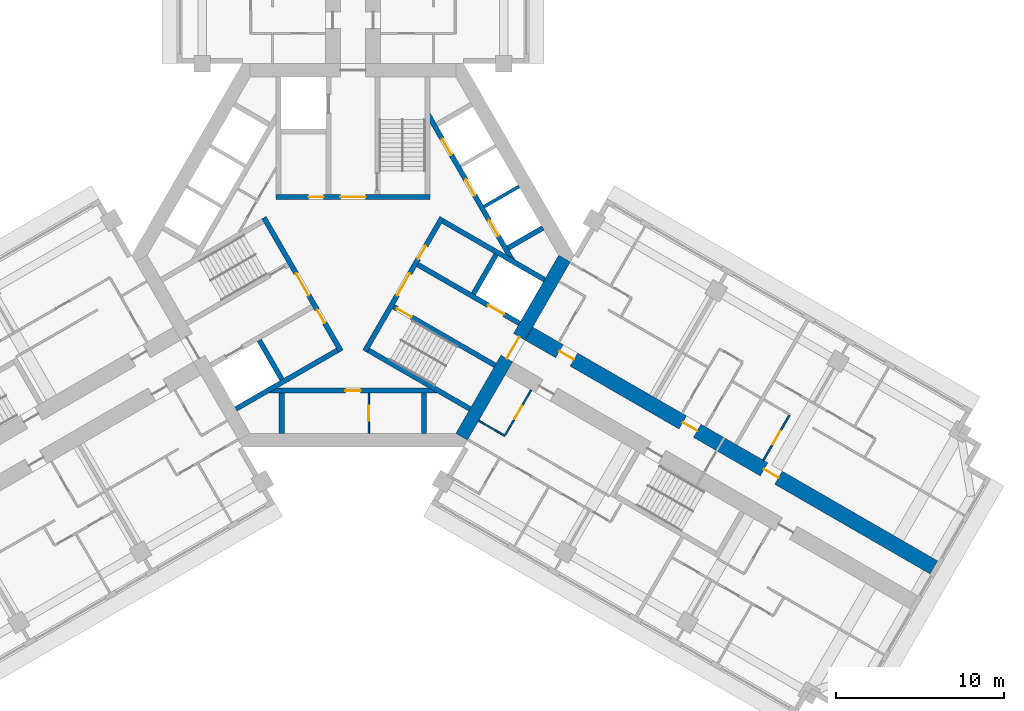
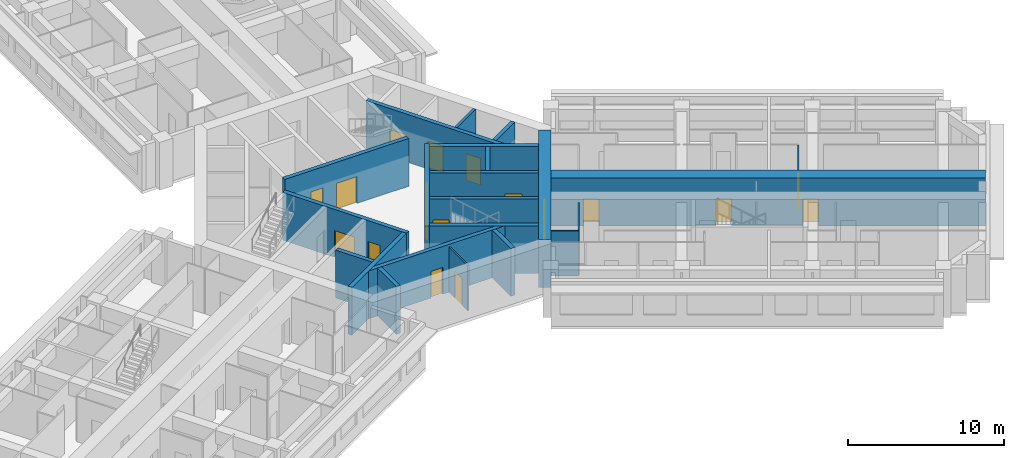
# One storey, part 6 of 12: 22 walls, 19 doors, 19 openings.
"""IFC4 building model written with IfcOpenShell, lengths in metres."""

from ifc_helpers import new_model, si_unit, direction, frame, frame_2d, origin, place, context, subcontext, project, spatial, rectangle, extrude, material, layer, layer_set, type_object, element, fill, save


model = new_model("IFC4")

# Units and contexts
model_context = context("Model", 3, precision=1e-05, world=origin(), true_north=direction((0.0, 1.0)))
body_context = subcontext(model_context, "Body", "Model", "MODEL_VIEW")
ifc_project = project(units=[si_unit("LENGTHUNIT", "METRE"), si_unit("AREAUNIT", "SQUARE_METRE"), si_unit("VOLUMEUNIT", "CUBIC_METRE"), si_unit("PLANEANGLEUNIT", "RADIAN"), si_unit("MASSUNIT", "GRAM", prefix="KILO")], contexts=[model_context])

# Site, building, storey
site_placement = place(None, origin())
site = spatial("IfcSite", under=ifc_project, at=site_placement, CompositionType="ELEMENT")
building_placement = place(site_placement, origin())
building = spatial("IfcBuilding", under=site, at=building_placement, Name="Impinga Residences", CompositionType="ELEMENT")
storey_placement = place(building_placement, frame((0.0, 0.0, 173.5)))
storey = spatial("IfcBuildingStorey", under=building, at=storey_placement, Name="L43", CompositionType="ELEMENT", Elevation=173.5)

# Wall, openings, doors
ifc_material_1 = material(Name="Concrete C60/75", Category="concrete")
ifc_layer_1 = layer(ifc_material_1, 0.89990234375)
ifc_layer_set_1 = layer_set([ifc_layer_1], Name="Concrete C60/75")
wall_type_1 = type_object("IfcWallType", Name="BW2 corridor buttress wall, L24 to L44 900", PredefinedType="SHEAR", material=ifc_layer_set_1)
wall_1_placement = place(storey_placement, frame((10.153564453125, -4.4765625, 0.0), z_axis=(0.0, 0.0, 1.0), x_axis=(0.866027127636, -0.49999701419, 0.0)))
wall_1 = element("IfcWall", 1, at=wall_1_placement, inside=storey, type_object=wall_type_1, Name="Corridor wall BW2 EC L43", PredefinedType="SHEAR", context=body_context, shape_type="SweptSolid", body=[
    extrude(rectangle(XDim=28.300048828125, YDim=0.89990234375, at=frame_2d((14.14990234375, 0.0))), origin(), (0.0, 0.0, 1.0), 3.75),
])
opening_1_placement = place(wall_1_placement, frame((2.5, 0.0, 0.0)))
opening_1 = element("IfcOpeningElement", 2, at=opening_1_placement, cuts=wall_1, Name="Opening D1", PredefinedType="OPENING", context=body_context, shape_type="SweptSolid", body=[
    extrude(rectangle(XDim=1.0, YDim=2.10009765625, at=frame_2d((0.5, 1.050048828125))), frame((0.0, 0.4599609375, 0.0), z_axis=(0.0, -1.0, 0.0), x_axis=(1.0, 0.0, 0.0)), (0.0, 0.0, 1.0), 0.919921875),
])
opening_2_placement = place(wall_1_placement, frame((11.0, 0.0, 0.0)))
opening_2 = element("IfcOpeningElement", 3, at=opening_2_placement, cuts=wall_1, Name="Opening D1", PredefinedType="OPENING", context=body_context, shape_type="SweptSolid", body=[
    extrude(rectangle(XDim=1.0, YDim=2.10009765625, at=frame_2d((0.5, 1.050048828125))), frame((0.0, 0.4599609375, 0.0), z_axis=(0.0, -1.0, 0.0), x_axis=(1.0, 0.0, 0.0)), (0.0, 0.0, 1.0), 0.919921875),
])
opening_3_placement = place(wall_1_placement, frame((16.60009765625, 0.0, 0.0)))
opening_3 = element("IfcOpeningElement", 4, at=opening_3_placement, cuts=wall_1, Name="Opening D1", PredefinedType="OPENING", context=body_context, shape_type="SweptSolid", body=[
    extrude(rectangle(XDim=1.0, YDim=2.10009765625, at=frame_2d((0.5, 1.050048828125))), frame((0.0, 0.4599609375, 0.0), z_axis=(0.0, -1.0, 0.0), x_axis=(1.0, 0.0, 0.0)), (0.0, 0.0, 1.0), 0.919921875),
])
ifc_material_2 = material(Name="Timber door set", Category="wood")
door_type_1 = type_object("IfcDoorType", Name="D1 apartment entrance door 1000x2100", OperationType="SINGLE_SWING_LEFT", PredefinedType="DOOR", material=ifc_material_2)
door_1_placement = place(opening_1_placement, origin())
door_1 = element("IfcDoor", 5, at=door_1_placement, inside=storey, type_object=door_type_1, Name="Apartment L43-EA1 entrance", OperationType="SINGLE_SWING_LEFT", OverallHeight=2.10009765625, OverallWidth=1.0, PredefinedType="DOOR", context=body_context, shape_type="SweptSolid", body=[
    extrude(rectangle(XDim=1.0, YDim=2.10009765625, at=frame_2d((0.5, 1.050048828125))), frame((0.0, 0.02490234375, 0.0), z_axis=(0.0, -1.0, 0.0), x_axis=(1.0, 0.0, 0.0)), (0.0, 0.0, 1.0), 0.050048828125),
])
fill(opening_1, door_1)
door_2_placement = place(opening_2_placement, origin())
door_2 = element("IfcDoor", 6, at=door_2_placement, inside=storey, type_object=door_type_1, Name="Apartment L43-EA2 entrance", OperationType="SINGLE_SWING_LEFT", OverallHeight=2.10009765625, OverallWidth=1.0, PredefinedType="DOOR", context=body_context, shape_type="SweptSolid", body=[
    extrude(rectangle(XDim=1.0, YDim=2.10009765625, at=frame_2d((0.5, 1.050048828125))), frame((0.0, 0.02490234375, 0.0), z_axis=(0.0, -1.0, 0.0), x_axis=(1.0, 0.0, 0.0)), (0.0, 0.0, 1.0), 0.050048828125),
])
fill(opening_2, door_2)
door_3_placement = place(opening_3_placement, origin())
door_3 = element("IfcDoor", 7, at=door_3_placement, inside=storey, type_object=door_type_1, Name="Apartment L43-EA3 entrance", OperationType="SINGLE_SWING_RIGHT", OverallHeight=2.10009765625, OverallWidth=1.0, PredefinedType="DOOR", context=body_context, shape_type="SweptSolid", body=[
    extrude(rectangle(XDim=1.0, YDim=2.10009765625, at=frame_2d((0.5, 1.050048828125))), frame((0.0, 0.02490234375, 0.0), z_axis=(0.0, -1.0, 0.0), x_axis=(1.0, 0.0, 0.0)), (0.0, 0.0, 1.0), 0.050048828125),
])
fill(opening_3, door_3)

# Wall, opening, door
ifc_material_3 = material(Name="Concrete blockwork", Category="masonry")
ifc_layer_2 = layer(ifc_material_3, 0.10009765625)
ifc_layer_set_2 = layer_set([ifc_layer_2], Name="CP1 core room partition, blockwork 100")
wall_type_2 = type_object("IfcWallType", Name="CP1 core room partition, blockwork 100", PredefinedType="PARTITIONING", material=ifc_layer_set_2)
wall_2_placement = place(storey_placement, frame((0.949951171875, -8.2314453125, 0.0), z_axis=(0.0, 0.0, 1.0), x_axis=(0.0, -1.0, 0.0)))
wall_2 = element("IfcWall", 8, at=wall_2_placement, inside=storey, type_object=wall_type_2, Name="Core room partition, blockwork L43:CORE:low:ZP1", PredefinedType="PARTITIONING", context=body_context, shape_type="SweptSolid", body=[
    extrude(rectangle(XDim=2.400146484375, YDim=0.10009765625, at=frame_2d((1.2001953125, 0.0))), origin(), (0.0, 0.0, 1.0), 3.530029296875),
])
opening_4_placement = place(wall_2_placement, frame((0.75, 0.0, 0.0)))
opening_4 = element("IfcOpeningElement", 9, at=opening_4_placement, cuts=wall_2, Name="Opening D6", PredefinedType="OPENING", context=body_context, shape_type="SweptSolid", body=[
    extrude(rectangle(XDim=0.89990234375, YDim=2.10009765625, at=frame_2d((0.449951171875, 1.050048828125))), frame((0.0, 0.06005859375, 0.0), z_axis=(0.0, -1.0, 0.0), x_axis=(1.0, 0.0, 0.0)), (0.0, 0.0, 1.0), 0.1201171875),
])
door_type_2 = type_object("IfcDoorType", Name="D6 riser and store door 900x2100", OperationType="SINGLE_SWING_LEFT", PredefinedType="DOOR", material=ifc_material_2)
door_4_placement = place(opening_4_placement, origin())
door_4 = element("IfcDoor", 10, at=door_4_placement, inside=storey, type_object=door_type_2, Name="Staff WC door", OperationType="SINGLE_SWING_LEFT", OverallHeight=2.10009765625, OverallWidth=0.89990234375, PredefinedType="DOOR", context=body_context, shape_type="SweptSolid", body=[
    extrude(rectangle(XDim=0.89990234375, YDim=2.10009765625, at=frame_2d((0.449951171875, 1.050048828125))), frame((0.0, 0.02490234375, 0.0), z_axis=(0.0, -1.0, 0.0), x_axis=(1.0, 0.0, 0.0)), (0.0, 0.0, 1.0), 0.050048828125),
])
fill(opening_4, door_4)

ifc_material_4 = material(Name="Gypsum board on steel studs", Category="steel")
ifc_layer_3 = layer(ifc_material_4, 0.10009765625)
ifc_layer_set_3 = layer_set([ifc_layer_3], Name="Gypsum board on steel studs")
wall_type_3 = type_object("IfcWallType", Name="IP1 partition 100", PredefinedType="PARTITIONING", material=ifc_layer_set_3)
wall_3_placement = place(storey_placement, frame((24.494873046875, -12.23681640625, 0.0), z_axis=(0.0, 0.0, 1.0), x_axis=(0.500026960575, 0.86600983753, 0.0)))
wall_3 = element("IfcWall", 11, at=wall_3_placement, inside=storey, type_object=wall_type_3, Name="Partition L43-EA3:IB1", PredefinedType="PARTITIONING", context=body_context, shape_type="SweptSolid", body=[
    extrude(rectangle(XDim=3.099853515625, YDim=0.10009765625, at=frame_2d((1.5498046875, 0.0))), origin(), (0.0, 0.0, 1.0), 3.530029296875),
])
opening_5_placement = place(wall_3_placement, frame((1.10009765625, 0.0, 0.0)))
opening_5 = element("IfcOpeningElement", 12, at=opening_5_placement, cuts=wall_3, Name="Opening D2", PredefinedType="OPENING", context=body_context, shape_type="SweptSolid", body=[
    extrude(rectangle(XDim=0.89990234375, YDim=2.10009765625, at=frame_2d((0.449951171875, 1.050048828125))), frame((0.0, 0.06005859375, 0.0), z_axis=(0.0, -1.0, 0.0), x_axis=(1.0, 0.0, 0.0)), (0.0, 0.0, 1.0), 0.1201171875),
])
door_type_3 = type_object("IfcDoorType", Name="D2 internal door 900x2100", OperationType="SINGLE_SWING_LEFT", PredefinedType="DOOR", material=ifc_material_2)
door_5_placement = place(opening_5_placement, origin())
door_5 = element("IfcDoor", 13, at=door_5_placement, inside=storey, type_object=door_type_3, Name="Apartment L43-EA3 bathroom door", OperationType="SINGLE_SWING_LEFT", OverallHeight=2.10009765625, OverallWidth=0.89990234375, PredefinedType="DOOR", context=body_context, shape_type="SweptSolid", body=[
    extrude(rectangle(XDim=0.89990234375, YDim=2.10009765625, at=frame_2d((0.449951171875, 1.050048828125))), frame((0.0, 0.02490234375, 0.0), z_axis=(0.0, -1.0, 0.0), x_axis=(1.0, 0.0, 0.0)), (0.0, 0.0, 1.0), 0.050048828125),
])
fill(opening_5, door_5)

# Wall
wall_4_placement = place(storey_placement, frame((7.5, -9.872802734375, 0.0), z_axis=(0.0, 0.0, 1.0), x_axis=(0.866047807691, -0.499961193289, 0.0)))
element("IfcWall", 14, at=wall_4_placement, inside=storey, type_object=wall_type_3, Name="Partition L43-EF1:DIV0", PredefinedType="PARTITIONING", context=body_context, shape_type="SweptSolid", body=[
    extrude(rectangle(XDim=1.800048828125, YDim=0.10009765625, at=frame_2d((0.89990234375, 0.0))), origin(), (0.0, 0.0, 1.0), 3.530029296875),
])

# Wall, opening, door
wall_5_placement = place(storey_placement, frame((10.6337890625, -8.044677734375, 0.0), z_axis=(0.0, 0.0, 1.0), x_axis=(-0.49999285859, -0.86602952684, 0.0)))
wall_5 = element("IfcWall", 15, at=wall_5_placement, inside=storey, type_object=wall_type_3, Name="Partition L43-EF1:IB1", PredefinedType="PARTITIONING", context=body_context, shape_type="SweptSolid", body=[
    extrude(rectangle(XDim=3.10009765625, YDim=0.10009765625, at=frame_2d((1.550048828125, 0.0))), origin(), (0.0, 0.0, 1.0), 3.530029296875),
])
opening_6_placement = place(wall_5_placement, frame((1.10009765625, 0.0, 0.0)))
opening_6 = element("IfcOpeningElement", 16, at=opening_6_placement, cuts=wall_5, Name="Opening D2", PredefinedType="OPENING", context=body_context, shape_type="SweptSolid", body=[
    extrude(rectangle(XDim=0.89990234375, YDim=2.10009765625, at=frame_2d((0.449951171875, 1.050048828125))), frame((0.0, 0.06005859375, 0.0), z_axis=(0.0, -1.0, 0.0), x_axis=(1.0, 0.0, 0.0)), (0.0, 0.0, 1.0), 0.1201171875),
])
door_6_placement = place(opening_6_placement, origin())
door_6 = element("IfcDoor", 17, at=door_6_placement, inside=storey, type_object=door_type_3, Name="Apartment L43-EF1 bathroom door", OperationType="SINGLE_SWING_LEFT", OverallHeight=2.10009765625, OverallWidth=0.89990234375, PredefinedType="DOOR", context=body_context, shape_type="SweptSolid", body=[
    extrude(rectangle(XDim=0.89990234375, YDim=2.10009765625, at=frame_2d((0.449951171875, 1.050048828125))), frame((0.0, 0.02490234375, 0.0), z_axis=(0.0, -1.0, 0.0), x_axis=(1.0, 0.0, 0.0)), (0.0, 0.0, 1.0), 0.050048828125),
])
fill(opening_6, door_6)

ifc_layer_4 = layer(ifc_material_1, 0.800048828125)
ifc_layer_set_4 = layer_set([ifc_layer_4], Name="Concrete C60/75")
wall_type_4 = type_object("IfcWallType", Name="SW2 core wall 800", PredefinedType="SHEAR", material=ifc_layer_set_4)
wall_6_placement = place(storey_placement, frame((12.62255859375, -0.199951171875, 0.0), z_axis=(0.0, 0.0, 1.0), x_axis=(-0.499986991068, -0.866032914365, 0.0)))
wall_6 = element("IfcWall", 18, at=wall_6_placement, inside=storey, type_object=wall_type_4, Name="Core wall SW2 E:FACE L43", PredefinedType="SHEAR", context=body_context, shape_type="SweptSolid", body=[
    extrude(rectangle(XDim=12.276123046875, YDim=0.800048828125, at=frame_2d((6.13818359375, 0.0))), origin(), (0.0, 0.0, 1.0), 3.75),
])
opening_7_placement = place(wall_6_placement, frame((5.38818359375, 0.0, 0.0)))
opening_7 = element("IfcOpeningElement", 19, at=opening_7_placement, cuts=wall_6, Name="Opening D4", PredefinedType="OPENING", context=body_context, shape_type="SweptSolid", body=[
    extrude(rectangle(XDim=1.5, YDim=2.10009765625, at=frame_2d((0.75, 1.050048828125))), frame((0.0, 0.409912109375, 0.0), z_axis=(0.0, -1.0, 0.0), x_axis=(1.0, 0.0, 0.0)), (0.0, 0.0, 1.0), 0.820068359375),
])
door_type_4 = type_object("IfcDoorType", Name="D4 lobby door pair 1500x2100", OperationType="DOUBLE_DOOR_DOUBLE_SWING", PredefinedType="DOOR", material=ifc_material_2)
door_7_placement = place(opening_7_placement, origin())
door_7 = element("IfcDoor", 20, at=door_7_placement, inside=storey, type_object=door_type_4, Name="Lobby door E", OperationType="DOUBLE_DOOR_DOUBLE_SWING", OverallHeight=2.10009765625, OverallWidth=1.5, PredefinedType="DOOR", context=body_context, shape_type="SweptSolid", body=[
    extrude(rectangle(XDim=1.5, YDim=2.10009765625, at=frame_2d((0.75, 1.050048828125))), frame((0.0, 0.02490234375, 0.0), z_axis=(0.0, -1.0, 0.0), x_axis=(1.0, 0.0, 0.0)), (0.0, 0.0, 1.0), 0.050048828125),
])
fill(opening_7, door_7)

# Wall, openings, doors
ifc_material_5 = material(Name="Concrete C70/85", Category="concrete")
ifc_layer_5 = layer(ifc_material_5, 0.300048828125)
ifc_layer_set_5 = layer_set([ifc_layer_5], Name="Concrete C70/85")
wall_type_5 = type_object("IfcWallType", Name="SW5 core inner wall, stairs, shafts and lobbies 300", PredefinedType="SHEAR", material=ifc_layer_set_5)
wall_7_placement = place(storey_placement, frame((-4.60009765625, 3.47998046875, 0.0), z_axis=(0.0, 0.0, 1.0), x_axis=(1.0, 0.0, 0.0)))
wall_7 = element("IfcWall", 21, at=wall_7_placement, inside=storey, type_object=wall_type_5, Name="Core wall SW5 N:ZONE L43", PredefinedType="SHEAR", context=body_context, shape_type="SweptSolid", body=[
    extrude(rectangle(XDim=9.2001953125, YDim=0.300048828125, at=frame_2d((4.60009765625, 0.0))), origin(), (0.0, 0.0, 1.0), 3.75),
])
opening_8_placement = place(wall_7_placement, frame((3.85009765625, 0.0, 0.0)))
opening_8 = element("IfcOpeningElement", 22, at=opening_8_placement, cuts=wall_7, Name="Opening D4", PredefinedType="OPENING", context=body_context, shape_type="SweptSolid", body=[
    extrude(rectangle(XDim=1.5, YDim=2.10009765625, at=frame_2d((0.75, 1.050048828125))), frame((0.0, 0.159912109375, 0.0), z_axis=(0.0, -1.0, 0.0), x_axis=(1.0, 0.0, 0.0)), (0.0, 0.0, 1.0), 0.320068359375),
])
opening_9_placement = place(wall_7_placement, frame((1.949951171875, 0.0, 0.0)))
opening_9 = element("IfcOpeningElement", 23, at=opening_9_placement, cuts=wall_7, Name="Opening D6", PredefinedType="OPENING", context=body_context, shape_type="SweptSolid", body=[
    extrude(rectangle(XDim=0.89990234375, YDim=2.10009765625, at=frame_2d((0.449951171875, 1.050048828125))), frame((0.0, 0.159912109375, 0.0), z_axis=(0.0, -1.0, 0.0), x_axis=(1.0, 0.0, 0.0)), (0.0, 0.0, 1.0), 0.320068359375),
])
door_8_placement = place(opening_8_placement, origin())
door_8 = element("IfcDoor", 24, at=door_8_placement, inside=storey, type_object=door_type_4, Name="Firefighting lobby door N", OperationType="DOUBLE_DOOR_DOUBLE_SWING", OverallHeight=2.10009765625, OverallWidth=1.5, PredefinedType="DOOR", context=body_context, shape_type="SweptSolid", body=[
    extrude(rectangle(XDim=1.5, YDim=2.10009765625, at=frame_2d((0.75, 1.050048828125))), frame((0.0, 0.02490234375, 0.0), z_axis=(0.0, -1.0, 0.0), x_axis=(1.0, 0.0, 0.0)), (0.0, 0.0, 1.0), 0.050048828125),
])
fill(opening_8, door_8)
door_9_placement = place(opening_9_placement, origin())
door_9 = element("IfcDoor", 25, at=door_9_placement, inside=storey, type_object=door_type_2, Name="Riser door N", OperationType="SINGLE_SWING_LEFT", OverallHeight=2.10009765625, OverallWidth=0.89990234375, PredefinedType="DOOR", context=body_context, shape_type="SweptSolid", body=[
    extrude(rectangle(XDim=0.89990234375, YDim=2.10009765625, at=frame_2d((0.449951171875, 1.050048828125))), frame((0.0, 0.02490234375, 0.0), z_axis=(0.0, -1.0, 0.0), x_axis=(1.0, 0.0, 0.0)), (0.0, 0.0, 1.0), 0.050048828125),
])
fill(opening_9, door_9)

wall_8_placement = place(storey_placement, frame((-0.7138671875, -5.7236328125, 0.0), z_axis=(0.0, 0.0, 1.0), x_axis=(-0.499995050369, 0.866028261437, 0.0)))
wall_8 = element("IfcWall", 26, at=wall_8_placement, inside=storey, type_object=wall_type_5, Name="Core wall SW5 W:ZONE L43", PredefinedType="SHEAR", context=body_context, shape_type="SweptSolid", body=[
    extrude(rectangle(XDim=9.19970703125, YDim=0.300048828125, at=frame_2d((4.599853515625, 0.0))), origin(), (0.0, 0.0, 1.0), 3.75),
])
opening_10_placement = place(wall_8_placement, frame((3.85009765625, 0.0, 0.0)))
opening_10 = element("IfcOpeningElement", 27, at=opening_10_placement, cuts=wall_8, Name="Opening D4", PredefinedType="OPENING", context=body_context, shape_type="SweptSolid", body=[
    extrude(rectangle(XDim=1.5, YDim=2.10009765625, at=frame_2d((0.75, 1.050048828125))), frame((0.0, 0.159912109375, 0.0), z_axis=(0.0, -1.0, 0.0), x_axis=(1.0, 0.0, 0.0)), (0.0, 0.0, 1.0), 0.320068359375),
])
opening_11_placement = place(wall_8_placement, frame((1.949951171875, 0.0, 0.0)))
opening_11 = element("IfcOpeningElement", 28, at=opening_11_placement, cuts=wall_8, Name="Opening D6", PredefinedType="OPENING", context=body_context, shape_type="SweptSolid", body=[
    extrude(rectangle(XDim=0.89990234375, YDim=2.10009765625, at=frame_2d((0.449951171875, 1.050048828125))), frame((0.0, 0.159912109375, 0.0), z_axis=(0.0, -1.0, 0.0), x_axis=(1.0, 0.0, 0.0)), (0.0, 0.0, 1.0), 0.320068359375),
])
door_10_placement = place(opening_10_placement, origin())
door_10 = element("IfcDoor", 29, at=door_10_placement, inside=storey, type_object=door_type_4, Name="Firefighting lobby door W", OperationType="DOUBLE_DOOR_DOUBLE_SWING", OverallHeight=2.10009765625, OverallWidth=1.5, PredefinedType="DOOR", context=body_context, shape_type="SweptSolid", body=[
    extrude(rectangle(XDim=1.5, YDim=2.10009765625, at=frame_2d((0.75, 1.050048828125))), frame((0.0, 0.02490234375, 0.0), z_axis=(0.0, -1.0, 0.0), x_axis=(1.0, 0.0, 0.0)), (0.0, 0.0, 1.0), 0.050048828125),
])
fill(opening_10, door_10)
door_11_placement = place(opening_11_placement, origin())
door_11 = element("IfcDoor", 30, at=door_11_placement, inside=storey, type_object=door_type_2, Name="Riser door W", OperationType="SINGLE_SWING_LEFT", OverallHeight=2.10009765625, OverallWidth=0.89990234375, PredefinedType="DOOR", context=body_context, shape_type="SweptSolid", body=[
    extrude(rectangle(XDim=0.89990234375, YDim=2.10009765625, at=frame_2d((0.449951171875, 1.050048828125))), frame((0.0, 0.02490234375, 0.0), z_axis=(0.0, -1.0, 0.0), x_axis=(1.0, 0.0, 0.0)), (0.0, 0.0, 1.0), 0.050048828125),
])
fill(opening_11, door_11)

# Walls
wall_9_placement = place(storey_placement, frame((-0.918701171875, -5.668701171875, 0.0), z_axis=(0.0, 0.0, 1.0), x_axis=(-0.866011380966, -0.500024287448, 0.0)))
element("IfcWall", 31, at=wall_9_placement, inside=storey, type_object=wall_type_5, Name="Core wall SW5 W:FF-OUT L43", PredefinedType="SHEAR", context=body_context, shape_type="SweptSolid", body=[
    extrude(rectangle(XDim=7.001708984375, YDim=0.300048828125, at=frame_2d((3.5009765625, 0.0))), origin(), (0.0, 0.0, 1.0), 3.75),
])
wall_10_placement = place(storey_placement, frame((-4.2412109375, -7.413818359375, 0.0), z_axis=(0.0, 0.0, 1.0), x_axis=(-0.500048589285, 0.86599734893, 0.0)))
element("IfcWall", 32, at=wall_10_placement, inside=storey, type_object=wall_type_5, Name="Core wall SW5 W:FF-RS L43", PredefinedType="SHEAR", context=body_context, shape_type="SweptSolid", body=[
    extrude(rectangle(XDim=2.699951171875, YDim=0.300048828125, at=frame_2d((1.35009765625, 0.0))), origin(), (0.0, 0.0, 1.0), 3.75),
])

# Wall, openings, doors
wall_11_placement = place(storey_placement, frame((5.313720703125, 2.24365234375, 0.0), z_axis=(0.0, 0.0, 1.0), x_axis=(-0.499995050369, -0.866028261437, 0.0)))
wall_11 = element("IfcWall", 33, at=wall_11_placement, inside=storey, type_object=wall_type_5, Name="Core wall SW5 E:ZONE L43", PredefinedType="SHEAR", context=body_context, shape_type="SweptSolid", body=[
    extrude(rectangle(XDim=9.19970703125, YDim=0.300048828125, at=frame_2d((4.599853515625, 0.0))), origin(), (0.0, 0.0, 1.0), 3.75),
])
opening_12_placement = place(wall_11_placement, frame((3.85009765625, 0.0, 0.0)))
opening_12 = element("IfcOpeningElement", 34, at=opening_12_placement, cuts=wall_11, Name="Opening D4", PredefinedType="OPENING", context=body_context, shape_type="SweptSolid", body=[
    extrude(rectangle(XDim=1.5, YDim=2.10009765625, at=frame_2d((0.75, 1.050048828125))), frame((0.0, 0.159912109375, 0.0), z_axis=(0.0, -1.0, 0.0), x_axis=(1.0, 0.0, 0.0)), (0.0, 0.0, 1.0), 0.320068359375),
])
opening_13_placement = place(wall_11_placement, frame((1.949951171875, 0.0, 0.0)))
opening_13 = element("IfcOpeningElement", 35, at=opening_13_placement, cuts=wall_11, Name="Opening D6", PredefinedType="OPENING", context=body_context, shape_type="SweptSolid", body=[
    extrude(rectangle(XDim=0.89990234375, YDim=2.10009765625, at=frame_2d((0.449951171875, 1.050048828125))), frame((0.0, 0.159912109375, 0.0), z_axis=(0.0, -1.0, 0.0), x_axis=(1.0, 0.0, 0.0)), (0.0, 0.0, 1.0), 0.320068359375),
])
door_12_placement = place(opening_12_placement, origin())
door_12 = element("IfcDoor", 36, at=door_12_placement, inside=storey, type_object=door_type_4, Name="Firefighting lobby door E", OperationType="DOUBLE_DOOR_DOUBLE_SWING", OverallHeight=2.10009765625, OverallWidth=1.5, PredefinedType="DOOR", context=body_context, shape_type="SweptSolid", body=[
    extrude(rectangle(XDim=1.5, YDim=2.10009765625, at=frame_2d((0.75, 1.050048828125))), frame((0.0, 0.02490234375, 0.0), z_axis=(0.0, -1.0, 0.0), x_axis=(1.0, 0.0, 0.0)), (0.0, 0.0, 1.0), 0.050048828125),
])
fill(opening_12, door_12)
door_13_placement = place(opening_13_placement, origin())
door_13 = element("IfcDoor", 37, at=door_13_placement, inside=storey, type_object=door_type_2, Name="Riser door E", OperationType="SINGLE_SWING_LEFT", OverallHeight=2.10009765625, OverallWidth=0.89990234375, PredefinedType="DOOR", context=body_context, shape_type="SweptSolid", body=[
    extrude(rectangle(XDim=0.89990234375, YDim=2.10009765625, at=frame_2d((0.449951171875, 1.050048828125))), frame((0.0, 0.02490234375, 0.0), z_axis=(0.0, -1.0, 0.0), x_axis=(1.0, 0.0, 0.0)), (0.0, 0.0, 1.0), 0.050048828125),
])
fill(opening_13, door_13)

# Wall, opening, door
wall_12_placement = place(storey_placement, frame((2.418701171875, -3.07080078125, 0.0), z_axis=(0.0, 0.0, 1.0), x_axis=(0.866026480128, -0.499998135713, 0.0)))
wall_12 = element("IfcWall", 38, at=wall_12_placement, inside=storey, type_object=wall_type_5, Name="Core wall SW5 E:ST-IN L43", PredefinedType="SHEAR", context=body_context, shape_type="SweptSolid", body=[
    extrude(rectangle(XDim=7.00146484375, YDim=0.300048828125, at=frame_2d((3.500732421875, 0.0))), origin(), (0.0, 0.0, 1.0), 3.75),
])
opening_14_placement = place(wall_12_placement, frame((0.25, 0.0, 0.0)))
opening_14 = element("IfcOpeningElement", 39, at=opening_14_placement, cuts=wall_12, Name="Opening D5", PredefinedType="OPENING", context=body_context, shape_type="SweptSolid", body=[
    extrude(rectangle(XDim=1.0, YDim=2.10009765625, at=frame_2d((0.5, 1.050048828125))), frame((0.0, 0.159912109375, 0.0), z_axis=(0.0, -1.0, 0.0), x_axis=(1.0, 0.0, 0.0)), (0.0, 0.0, 1.0), 0.320068359375),
])
door_type_5 = type_object("IfcDoorType", Name="D5 stair door 1000x2100", OperationType="SINGLE_SWING_LEFT", PredefinedType="DOOR", material=ifc_material_2)
door_14_placement = place(opening_14_placement, origin())
door_14 = element("IfcDoor", 40, at=door_14_placement, inside=storey, type_object=door_type_5, Name="Stair door E", OperationType="SINGLE_SWING_LEFT", OverallHeight=2.10009765625, OverallWidth=1.0, PredefinedType="DOOR", context=body_context, shape_type="SweptSolid", body=[
    extrude(rectangle(XDim=1.0, YDim=2.10009765625, at=frame_2d((0.5, 1.050048828125))), frame((0.0, 0.02490234375, 0.0), z_axis=(0.0, -1.0, 0.0), x_axis=(1.0, 0.0, 0.0)), (0.0, 0.0, 1.0), 0.050048828125),
])
fill(opening_14, door_14)

# Wall
wall_13_placement = place(storey_placement, frame((0.918701171875, -5.668701171875, 0.0), z_axis=(0.0, 0.0, 1.0), x_axis=(0.866011380966, -0.500024287448, 0.0)))
element("IfcWall", 41, at=wall_13_placement, inside=storey, type_object=wall_type_5, Name="Core wall SW5 E:ST-OUT L43", PredefinedType="SHEAR", context=body_context, shape_type="SweptSolid", body=[
    extrude(rectangle(XDim=7.001708984375, YDim=0.300048828125, at=frame_2d((3.5009765625, 0.0))), origin(), (0.0, 0.0, 1.0), 3.75),
])

# Wall, opening, door
wall_14_placement = place(storey_placement, frame((3.86865234375, -0.559326171875, 0.0), z_axis=(0.0, 0.0, 1.0), x_axis=(0.866026480128, -0.499998135713, 0.0)))
wall_14 = element("IfcWall", 42, at=wall_14_placement, inside=storey, type_object=wall_type_5, Name="Core wall SW5 E:FF-IN L43", PredefinedType="SHEAR", context=body_context, shape_type="SweptSolid", body=[
    extrude(rectangle(XDim=7.00146484375, YDim=0.300048828125, at=frame_2d((3.500732421875, 0.0))), origin(), (0.0, 0.0, 1.0), 3.75),
])
opening_15_placement = place(wall_14_placement, frame((4.85009765625, 0.0, 0.0)))
opening_15 = element("IfcOpeningElement", 43, at=opening_15_placement, cuts=wall_14, Name="Opening LD2", PredefinedType="OPENING", context=body_context, shape_type="SweptSolid", body=[
    extrude(rectangle(XDim=1.10009765625, YDim=2.10009765625, at=frame_2d((0.550048828125, 1.050048828125))), frame((0.0, 0.159912109375, 0.0), z_axis=(0.0, -1.0, 0.0), x_axis=(1.0, 0.0, 0.0)), (0.0, 0.0, 1.0), 0.320068359375),
])
ifc_material_6 = material(Name="Steel lift landing door", Category="steel")
door_type_6 = type_object("IfcDoorType", Name="LD2 firefighting lift landing door 1100x2100", OperationType="DOUBLE_DOOR_SLIDING", PredefinedType="DOOR", material=ifc_material_6)
door_15_placement = place(opening_15_placement, origin())
door_15 = element("IfcDoor", 44, at=door_15_placement, inside=storey, type_object=door_type_6, Name="Firefighting lift landing door F3", OperationType="DOUBLE_DOOR_SLIDING", OverallHeight=2.10009765625, OverallWidth=1.10009765625, PredefinedType="DOOR", context=body_context, shape_type="SweptSolid", body=[
    extrude(rectangle(XDim=1.10009765625, YDim=2.10009765625, at=frame_2d((0.550048828125, 1.050048828125))), frame((0.0, 0.02490234375, 0.0), z_axis=(0.0, -1.0, 0.0), x_axis=(1.0, 0.0, 0.0)), (0.0, 0.0, 1.0), 0.050048828125),
])
fill(opening_15, door_15)

# Walls
wall_15_placement = place(storey_placement, frame((5.36865234375, 2.038818359375, 0.0), z_axis=(0.0, 0.0, 1.0), x_axis=(0.866026480128, -0.499998135713, 0.0)))
element("IfcWall", 45, at=wall_15_placement, inside=storey, type_object=wall_type_5, Name="Core wall SW5 E:FF-OUT L43", PredefinedType="SHEAR", context=body_context, shape_type="SweptSolid", body=[
    extrude(rectangle(XDim=7.00146484375, YDim=0.300048828125, at=frame_2d((3.500732421875, 0.0))), origin(), (0.0, 0.0, 1.0), 3.75),
])
wall_16_placement = place(storey_placement, frame((8.541259765625, 0.033935546875, 0.0), z_axis=(0.0, 0.0, 1.0), x_axis=(-0.50000943426, -0.866019956843, 0.0)))
element("IfcWall", 46, at=wall_16_placement, inside=storey, type_object=wall_type_5, Name="Core wall SW5 E:FF-RS L43", PredefinedType="SHEAR", context=body_context, shape_type="SweptSolid", body=[
    extrude(rectangle(XDim=2.7001953125, YDim=0.300048828125, at=frame_2d((1.35009765625, 0.0))), origin(), (0.0, 0.0, 1.0), 3.75),
])

# Wall, opening, door
wall_17_placement = place(storey_placement, frame((5.09765625, -8.08154296875, 0.0), z_axis=(0.0, 0.0, 1.0), x_axis=(-1.0, 0.0, 0.0)))
wall_17 = element("IfcWall", 47, at=wall_17_placement, inside=storey, type_object=wall_type_5, Name="Core wall SW5 N:BANK-FRONT L43", PredefinedType="SHEAR", context=body_context, shape_type="SweptSolid", body=[
    extrude(rectangle(XDim=10.1953125, YDim=0.300048828125, at=frame_2d((5.09765625, 0.0))), origin(), (0.0, 0.0, 1.0), 3.75),
])
opening_16_placement = place(wall_17_placement, frame((4.647705078125, 0.0, 0.0)))
opening_16 = element("IfcOpeningElement", 48, at=opening_16_placement, cuts=wall_17, Name="Opening D6", PredefinedType="OPENING", context=body_context, shape_type="SweptSolid", body=[
    extrude(rectangle(XDim=0.89990234375, YDim=2.10009765625, at=frame_2d((0.449951171875, 1.050048828125))), frame((0.0, 0.159912109375, 0.0), z_axis=(0.0, -1.0, 0.0), x_axis=(1.0, 0.0, 0.0)), (0.0, 0.0, 1.0), 0.320068359375),
])
door_16_placement = place(opening_16_placement, origin())
door_16 = element("IfcDoor", 49, at=door_16_placement, inside=storey, type_object=door_type_2, Name="Guest pantry door", OperationType="SINGLE_SWING_LEFT", OverallHeight=2.10009765625, OverallWidth=0.89990234375, PredefinedType="DOOR", context=body_context, shape_type="SweptSolid", body=[
    extrude(rectangle(XDim=0.89990234375, YDim=2.10009765625, at=frame_2d((0.449951171875, 1.050048828125))), frame((0.0, 0.02490234375, 0.0), z_axis=(0.0, -1.0, 0.0), x_axis=(1.0, 0.0, 0.0)), (0.0, 0.0, 1.0), 0.050048828125),
])
fill(opening_16, door_16)

# Walls
for number, where, z_axis, x_axis, name in (
    (50, (4.25, -8.2314453125, 0.0), (0.0, 0.0, 1.0), (0.0, -1.0, 0.0), "Core wall SW5 N:BANK-L L43"),
    (51, (-4.25, -8.2314453125, 0.0), (0.0, 0.0, 1.0), (0.0, -1.0, 0.0), "Core wall SW5 N:BANK-R L43"),
):
    element("IfcWall", number, at=place(storey_placement, frame(where, z_axis=z_axis, x_axis=x_axis)), inside=storey, type_object=wall_type_5, Name=name, PredefinedType="SHEAR", context=body_context, shape_type="SweptSolid", body=[
        extrude(rectangle(XDim=2.400146484375, YDim=0.300048828125, at=frame_2d((1.2001953125, 0.0))), origin(), (0.0, 0.0, 1.0), 3.75),
    ])

# Wall, openings, doors
wall_18_placement = place(storey_placement, frame((4.449951171875, 8.455322265625, 0.0), z_axis=(0.0, 0.0, 1.0), x_axis=(0.500002290144, -0.866024081565, 0.0)))
wall_18 = element("IfcWall", 52, at=wall_18_placement, inside=storey, type_object=wall_type_5, Name="Core wall SW5 W:BANK-FRONT L43", PredefinedType="SHEAR", context=body_context, shape_type="SweptSolid", body=[
    extrude(rectangle(XDim=10.1953125, YDim=0.300048828125, at=frame_2d((5.09765625, 0.0))), origin(), (0.0, 0.0, 1.0), 3.75),
])
opening_17_placement = place(wall_18_placement, frame((1.74755859375, 0.0, 0.0)))
opening_17 = element("IfcOpeningElement", 53, at=opening_17_placement, cuts=wall_18, Name="Opening LD1", PredefinedType="OPENING", context=body_context, shape_type="SweptSolid", body=[
    extrude(rectangle(XDim=1.10009765625, YDim=2.10009765625, at=frame_2d((0.550048828125, 1.050048828125))), frame((0.0, 0.159912109375, 0.0), z_axis=(0.0, -1.0, 0.0), x_axis=(1.0, 0.0, 0.0)), (0.0, 0.0, 1.0), 0.320068359375),
])
opening_18_placement = place(wall_18_placement, frame((4.547607421875, 0.0, 0.0)))
opening_18 = element("IfcOpeningElement", 54, at=opening_18_placement, cuts=wall_18, Name="Opening LD1", PredefinedType="OPENING", context=body_context, shape_type="SweptSolid", body=[
    extrude(rectangle(XDim=1.10009765625, YDim=2.10009765625, at=frame_2d((0.550048828125, 1.050048828125))), frame((0.0, 0.159912109375, 0.0), z_axis=(0.0, -1.0, 0.0), x_axis=(1.0, 0.0, 0.0)), (0.0, 0.0, 1.0), 0.320068359375),
])
opening_19_placement = place(wall_18_placement, frame((7.34765625, 0.0, 0.0)))
opening_19 = element("IfcOpeningElement", 55, at=opening_19_placement, cuts=wall_18, Name="Opening LD1", PredefinedType="OPENING", context=body_context, shape_type="SweptSolid", body=[
    extrude(rectangle(XDim=1.10009765625, YDim=2.10009765625, at=frame_2d((0.550048828125, 1.050048828125))), frame((0.0, 0.159912109375, 0.0), z_axis=(0.0, -1.0, 0.0), x_axis=(1.0, 0.0, 0.0)), (0.0, 0.0, 1.0), 0.320068359375),
])
door_type_7 = type_object("IfcDoorType", Name="LD1 passenger lift landing door 1100x2100", OperationType="DOUBLE_DOOR_SLIDING", PredefinedType="DOOR", material=ifc_material_6)
door_17_placement = place(opening_17_placement, origin())
door_17 = element("IfcDoor", 56, at=door_17_placement, inside=storey, type_object=door_type_7, Name="Lift landing door P4", OperationType="DOUBLE_DOOR_SLIDING", OverallHeight=2.10009765625, OverallWidth=1.10009765625, PredefinedType="DOOR", context=body_context, shape_type="SweptSolid", body=[
    extrude(rectangle(XDim=1.10009765625, YDim=2.10009765625, at=frame_2d((0.550048828125, 1.050048828125))), frame((0.0, 0.02490234375, 0.0), z_axis=(0.0, -1.0, 0.0), x_axis=(1.0, 0.0, 0.0)), (0.0, 0.0, 1.0), 0.050048828125),
])
fill(opening_17, door_17)
door_18_placement = place(opening_18_placement, origin())
door_18 = element("IfcDoor", 57, at=door_18_placement, inside=storey, type_object=door_type_7, Name="Lift landing door P5", OperationType="DOUBLE_DOOR_SLIDING", OverallHeight=2.10009765625, OverallWidth=1.10009765625, PredefinedType="DOOR", context=body_context, shape_type="SweptSolid", body=[
    extrude(rectangle(XDim=1.10009765625, YDim=2.10009765625, at=frame_2d((0.550048828125, 1.050048828125))), frame((0.0, 0.02490234375, 0.0), z_axis=(0.0, -1.0, 0.0), x_axis=(1.0, 0.0, 0.0)), (0.0, 0.0, 1.0), 0.050048828125),
])
fill(opening_18, door_18)
door_19_placement = place(opening_19_placement, origin())
door_19 = element("IfcDoor", 58, at=door_19_placement, inside=storey, type_object=door_type_7, Name="Lift landing door P6", OperationType="DOUBLE_DOOR_SLIDING", OverallHeight=2.10009765625, OverallWidth=1.10009765625, PredefinedType="DOOR", context=body_context, shape_type="SweptSolid", body=[
    extrude(rectangle(XDim=1.10009765625, YDim=2.10009765625, at=frame_2d((0.550048828125, 1.050048828125))), frame((0.0, 0.02490234375, 0.0), z_axis=(0.0, -1.0, 0.0), x_axis=(1.0, 0.0, 0.0)), (0.0, 0.0, 1.0), 0.050048828125),
])
fill(opening_19, door_19)

# Walls
wall_19_placement = place(storey_placement, frame((9.253662109375, 0.43505859375, 0.0), z_axis=(0.0, 0.0, 1.0), x_axis=(0.866006032174, 0.500033551112, 0.0)))
element("IfcWall", 59, at=wall_19_placement, inside=storey, type_object=wall_type_5, Name="Core wall SW5 W:BANK-R L43", PredefinedType="SHEAR", context=body_context, shape_type="SweptSolid", body=[
    extrude(rectangle(XDim=2.400146484375, YDim=0.300048828125, at=frame_2d((1.2001953125, 0.0))), origin(), (0.0, 0.0, 1.0), 3.75),
])
ifc_layer_6 = layer(ifc_material_5, 0.199951171875)
ifc_layer_set_6 = layer_set([ifc_layer_6], Name="Concrete C70/85")
wall_type_6 = type_object("IfcWallType", Name="SW6 lift shaft divider wall 200", PredefinedType="SHEAR", material=ifc_layer_set_6)
wall_20_placement = place(storey_placement, frame((7.82861328125, 2.9033203125, 0.0), z_axis=(0.0, 0.0, 1.0), x_axis=(0.866050077142, 0.499957262057, 0.0)))
element("IfcWall", 60, at=wall_20_placement, inside=storey, type_object=wall_type_6, Name="Core wall SW6 W:BANK-D2 L43", PredefinedType="SHEAR", context=body_context, shape_type="SweptSolid", body=[
    extrude(rectangle(XDim=2.400146484375, YDim=0.199951171875, at=frame_2d((1.2001953125, 0.0))), origin(), (0.0, 0.0, 1.0), 3.75),
])

save(model, "model.ifc")
